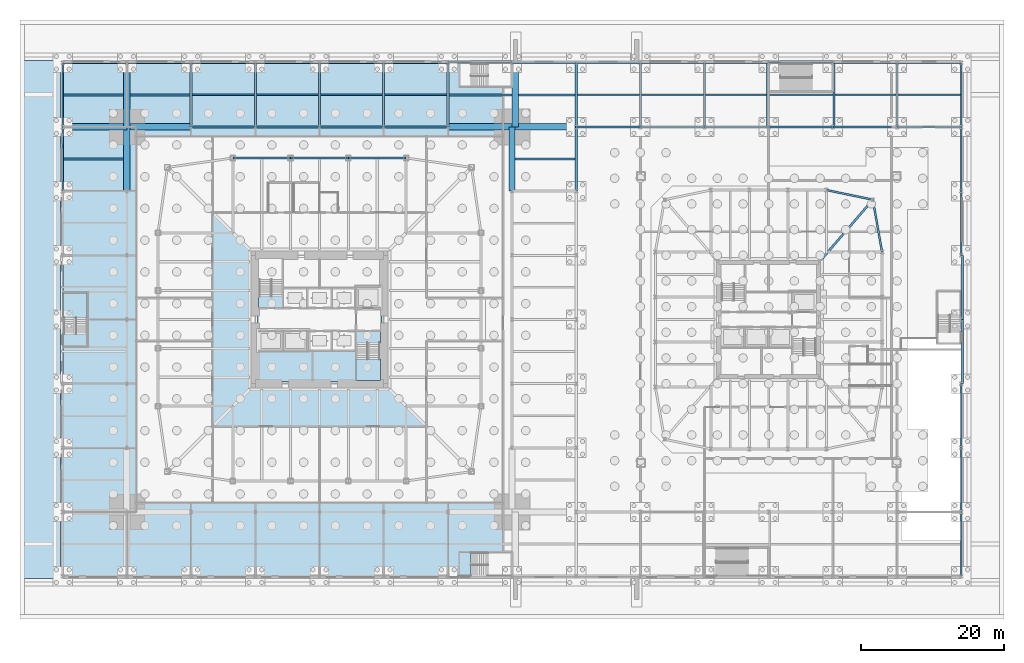
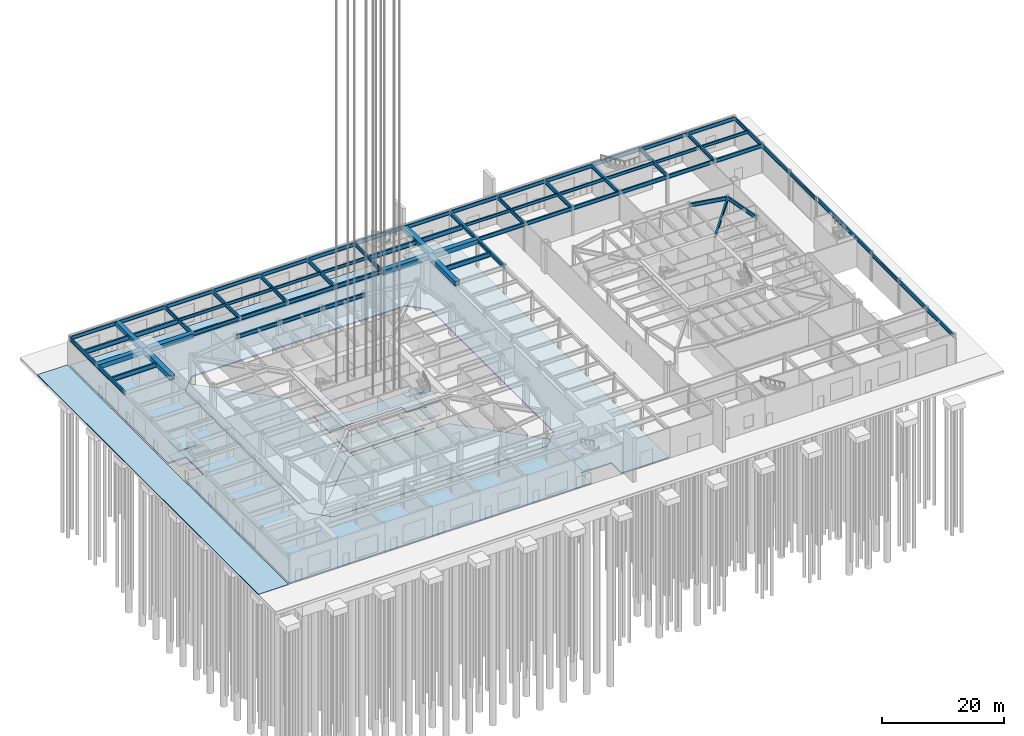
# One storey, part 11 of 37: 76 beams, 14 slabs, 4 elements without a shape of their own.
"""IFC4 building model written with IfcOpenShell, lengths in metres."""

from ifc_helpers import new_model, si_unit, direction, frame, origin, origin_2d, place, context, subcontext, project, spatial, polyline, hollow_rectangle, i_section, outline, extrude, material, layer, layer_set, constituent, constituent_set, material_profile, profile_set, type_object, element, aggregate, save


model = new_model("IFC4")

# Units and contexts
model_context = context("Model", 3, precision=1e-05, world=origin(), true_north=direction((0.0, 1.0)))
body_context = subcontext(model_context, "Body", "Model", "MODEL_VIEW")
ifc_project = project(units=[si_unit("LENGTHUNIT", "METRE"), si_unit("AREAUNIT", "SQUARE_METRE"), si_unit("VOLUMEUNIT", "CUBIC_METRE"), si_unit("PLANEANGLEUNIT", "RADIAN"), si_unit("MASSUNIT", "GRAM", prefix="KILO")], contexts=[model_context])

# Site, building, storey
site_placement = place(None, origin())
site = spatial("IfcSite", under=ifc_project, at=site_placement, CompositionType="ELEMENT")
building_placement = place(site_placement, origin())
building = spatial("IfcBuilding", under=site, at=building_placement, Name="Iwan Alto Co-Living Towers", CompositionType="ELEMENT")
storey_placement = place(building_placement, origin())
storey = spatial("IfcBuildingStorey", under=building, at=storey_placement, Name="L00", CompositionType="ELEMENT", Elevation=0.0)

# Beams
ifc_material_1 = material(Name="Steel ASTM A992 Gr 50", Category="steel")
ifc_material_profile_1 = material_profile(ifc_material_1, i_section(OverallWidth=0.2666015625, OverallDepth=0.76953125, WebThickness=0.015625, FlangeThickness=0.025390625, at=origin_2d()), Name="W30X132")
ifc_profile_set_1 = profile_set([ifc_material_profile_1], Name="Steel ASTM A992 Gr 50")
beam_type_1 = type_object("IfcBeamType", Name="PODIUM BEAM W30X132", PredefinedType="BEAM", material=ifc_profile_set_1)
for number, where, z_axis, x_axis, name in (
    (1, (-36.0, 18.0, 5.365234375), (0.0, 1.0, 0.0), (-1.0, 0.0, 0.0), "Podium beam 1/G-1/H L01"),
    (2, (-36.0, 27.0, 5.365234375), (0.0, 1.0, 0.0), (-1.0, 0.0, 0.0), "Podium beam 1/H-1/I L01"),
    (3, (-36.0, 36.0, 5.365234375), (1.0, 0.0, 0.0), (0.0, 1.0, 0.0), "Podium beam 1/I-2/I L01"),
    (4, (-27.0, 36.0, 5.365234375), (1.0, 0.0, 0.0), (0.0, 1.0, 0.0), "Podium beam 2/I-3/I L01"),
    (5, (-18.0, 27.0, 5.365234375), (1.0, 0.0, 0.0), (0.0, 1.0, 0.0), "Podium beam 3/H-4/H L01"),
    (6, (-18.0, 27.0, 5.365234375), (0.0, 1.0, 0.0), (-1.0, 0.0, 0.0), "Podium beam 3/H-3/I L01"),
    (7, (-18.0, 36.0, 5.365234375), (1.0, 0.0, 0.0), (0.0, 1.0, 0.0), "Podium beam 3/I-4/I L01"),
    (8, (-9.0, 27.0, 5.365234375), (1.0, 0.0, 0.0), (0.0, 1.0, 0.0), "Podium beam 4/H-5/H L01"),
    (9, (-9.0, 27.0, 5.365234375), (0.0, 1.0, 0.0), (-1.0, 0.0, 0.0), "Podium beam 4/H-4/I L01"),
    (10, (-9.0, 36.0, 5.365234375), (1.0, 0.0, 0.0), (0.0, 1.0, 0.0), "Podium beam 4/I-5/I L01"),
    (11, (0.0, 27.0, 5.365234375), (1.0, 0.0, 0.0), (0.0, 1.0, 0.0), "Podium beam 5/H-6/H L01"),
    (12, (0.0, 27.0, 5.365234375), (0.0, 1.0, 0.0), (-1.0, 0.0, 0.0), "Podium beam 5/H-5/I L01"),
    (13, (0.0, 36.0, 5.365234375), (1.0, 0.0, 0.0), (0.0, 1.0, 0.0), "Podium beam 5/I-6/I L01"),
    (14, (9.0, 27.0, 5.365234375), (1.0, 0.0, 0.0), (0.0, 1.0, 0.0), "Podium beam 6/H-7/H L01"),
    (15, (9.0, 27.0, 5.365234375), (0.0, 1.0, 0.0), (-1.0, 0.0, 0.0), "Podium beam 6/H-6/I L01"),
    (16, (9.0, 36.0, 5.365234375), (1.0, 0.0, 0.0), (0.0, 1.0, 0.0), "Podium beam 6/I-7/I L01"),
    (17, (18.0, 27.0, 5.365234375), (0.0, 1.0, 0.0), (-1.0, 0.0, 0.0), "Podium beam 7/H-7/I L01"),
    (18, (18.0, 36.1533203125, 5.365234375), (1.0, 0.0, 0.0), (0.0, 1.0, 0.0), "Podium beam 7/I-8/I L01"),
    (19, (27.0, 36.0, 5.365234375), (1.0, 0.0, 0.0), (0.0, 1.0, 0.0), "Podium beam 8/I-9/I L01"),
    (20, (36.0, 27.0, 5.365234375), (1.0, 0.0, 0.0), (0.0, 1.0, 0.0), "Podium beam 9/H-10/H L01"),
    (21, (36.0, 36.0, 5.365234375), (1.0, 0.0, 0.0), (0.0, 1.0, 0.0), "Podium beam 9/I-10/I L01"),
    (22, (45.0, 27.0, 5.365234375), (1.0, 0.0, 0.0), (0.0, 1.0, 0.0), "Podium beam 10/H-11/H L01"),
    (23, (45.0, 27.0, 5.365234375), (0.0, 1.0, 0.0), (-1.0, 0.0, 0.0), "Podium beam 10/H-10/I L01"),
    (24, (45.0, 36.0, 5.365234375), (1.0, 0.0, 0.0), (0.0, 1.0, 0.0), "Podium beam 10/I-11/I L01"),
    (25, (54.0, 27.0, 5.365234375), (1.0, 0.0, 0.0), (0.0, 1.0, 0.0), "Podium beam 11/H-12/H L01"),
    (26, (54.0, 27.0, 5.365234375), (0.0, 1.0, 0.0), (-1.0, 0.0, 0.0), "Podium beam 11/H-11/I L01"),
    (27, (54.0, 36.0, 5.365234375), (1.0, 0.0, 0.0), (0.0, 1.0, 0.0), "Podium beam 11/I-12/I L01"),
    (28, (63.0, 27.0, 5.365234375), (1.0, 0.0, 0.0), (0.0, 1.0, 0.0), "Podium beam 12/H-13/H L01"),
    (29, (62.8466796875, 27.0, 5.365234375), (0.0, 1.0, 0.0), (-1.0, 0.0, 0.0), "Podium beam 12/H-12/I L01"),
    (30, (63.0, 36.1533203125, 5.365234375), (1.0, 0.0, 0.0), (0.0, 1.0, 0.0), "Podium beam 12/I-13/I L01"),
    (31, (72.0, 27.0, 5.365234375), (1.0, 0.0, 0.0), (0.0, 1.0, 0.0), "Podium beam 13/H-14/H L01"),
    (32, (72.1533203125, 27.0, 5.365234375), (0.0, 1.0, 0.0), (-1.0, 0.0, 0.0), "Podium beam 13/H-13/I L01"),
    (33, (72.0, 36.0, 5.365234375), (1.0, 0.0, 0.0), (0.0, 1.0, 0.0), "Podium beam 13/I-14/I L01"),
    (34, (81.0, 27.0, 5.365234375), (1.0, 0.0, 0.0), (0.0, 1.0, 0.0), "Podium beam 14/H-15/H L01"),
    (35, (81.0, 27.0, 5.365234375), (0.0, 1.0, 0.0), (-1.0, 0.0, 0.0), "Podium beam 14/H-14/I L01"),
    (36, (81.0, 36.0, 5.365234375), (1.0, 0.0, 0.0), (0.0, 1.0, 0.0), "Podium beam 14/I-15/I L01"),
    (37, (90.0, -36.0, 5.365234375), (0.0, 1.0, 0.0), (-1.0, 0.0, 0.0), "Podium beam 15/A-15/B L01"),
    (38, (90.0, -27.0, 5.365234375), (0.0, 1.0, 0.0), (-1.0, 0.0, 0.0), "Podium beam 15/B-15/C L01"),
    (39, (90.0, -18.0, 5.365234375), (0.0, 1.0, 0.0), (-1.0, 0.0, 0.0), "Podium beam 15/C-15/D L01"),
    (40, (90.1533203125, -9.0, 5.365234375), (0.0, 1.0, 0.0), (-1.0, 0.0, 0.0), "Podium beam 15/D-15/E L01"),
    (41, (90.1533203125, 0.0, 5.365234375), (0.0, 1.0, 0.0), (-1.0, 0.0, 0.0), "Podium beam 15/E-15/F L01"),
    (42, (90.0, 9.0, 5.365234375), (0.0, 1.0, 0.0), (-1.0, 0.0, 0.0), "Podium beam 15/F-15/G L01"),
    (43, (90.0, 18.0, 5.365234375), (0.0, 1.0, 0.0), (-1.0, 0.0, 0.0), "Podium beam 15/G-15/H L01"),
    (44, (90.0, 27.0, 5.365234375), (0.0, 1.0, 0.0), (-1.0, 0.0, 0.0), "Podium beam 15/H-15/I L01"),
):
    element("IfcBeam", number, at=place(storey_placement, frame(where, z_axis=z_axis, x_axis=x_axis)), inside=storey, type_object=beam_type_1, Name=name, PredefinedType="BEAM", context=body_context, shape_type="SweptSolid", body=[
        extrude(i_section(OverallWidth=0.2666015625, OverallDepth=0.76953125, WebThickness=0.015625, FlangeThickness=0.025390625, at=origin_2d()), origin(), (0.0, 0.0, 1.0), 9.0),
    ])
ifc_material_2 = material(Name="Steel ASTM A992 Gr 50", Category="steel")
ifc_material_profile_2 = material_profile(ifc_material_2, i_section(OverallWidth=0.381103515625, OverallDepth=0.772216796875, WebThickness=0.0166015625, FlangeThickness=0.027099609375, at=origin_2d()), Name="W30X173")
ifc_profile_set_2 = profile_set([ifc_material_profile_2], Name="Steel ASTM A992 Gr 50")
beam_type_2 = type_object("IfcBeamType", Name="PODIUM JOINT BEAM W30X173", PredefinedType="BEAM", material=ifc_profile_set_2)
for number, where, z_axis, x_axis, name in (
    (45, (36.0, 18.0, 5.364013671875), (0.0, 1.0, 0.0), (-1.0, 0.0, 0.0), "Podium beam 9/G-9/H L01"),
    (46, (36.0, 27.0, 5.364013671875), (0.0, 1.0, 0.0), (-1.0, 0.0, 0.0), "Podium beam 9/H-9/I L01"),
):
    element("IfcBeam", number, at=place(storey_placement, frame(where, z_axis=z_axis, x_axis=x_axis)), inside=storey, type_object=beam_type_2, Name=name, PredefinedType="BEAM", context=body_context, shape_type="SweptSolid", body=[
        extrude(i_section(OverallWidth=0.381103515625, OverallDepth=0.772216796875, WebThickness=0.0166015625, FlangeThickness=0.027099609375, at=origin_2d()), origin(), (0.0, 0.0, 1.0), 9.0),
    ])
ifc_material_3 = material(Name="Steel ASTM A992 Gr 50", Category="steel")
ifc_material_profile_3 = material_profile(ifc_material_3, i_section(OverallWidth=0.307373046875, OverallDepth=0.927001953125, WebThickness=0.01953125, FlangeThickness=0.031982421875, at=origin_2d()), Name="W36X194")
ifc_profile_set_3 = profile_set([ifc_material_profile_3], Name="Steel ASTM A992 Gr 50")
beam_type_3 = type_object("IfcBeamType", Name="PODIUM PIER BAY SECONDARY BEAM W36X194", PredefinedType="JOIST", material=ifc_profile_set_3)
for number, where, z_axis, x_axis, name in (
    (47, (-35.86669921875, 22.5, 5.286376953125), (1.0, 0.0, 0.0), (0.0, 1.0, 0.0), "Podium secondary beam 1/G L01"),
    (48, (-35.86669921875, 31.5, 5.286376953125), (1.0, 0.0, 0.0), (0.0, 1.0, 0.0), "Podium secondary beam 1/H L01"),
    (49, (-26.550048828125, 31.5, 5.286376953125), (1.0, 0.0, 0.0), (0.0, 1.0, 0.0), "Podium secondary beam 2/H L01"),
):
    element("IfcBeam", number, at=place(storey_placement, frame(where, z_axis=z_axis, x_axis=x_axis)), inside=storey, type_object=beam_type_3, Name=name, PredefinedType="JOIST", context=body_context, shape_type="SweptSolid", body=[
        extrude(i_section(OverallWidth=0.307373046875, OverallDepth=0.927001953125, WebThickness=0.01953125, FlangeThickness=0.031982421875, at=origin_2d()), origin(), (0.0, 0.0, 1.0), 8.416748046875),
    ])
beam_1_placement = place(storey_placement, frame((18.13330078125, 31.5, 5.286376953125), z_axis=(1.0, 0.0, 0.0), x_axis=(0.0, 1.0, 0.0)))
element("IfcBeam", 50, at=beam_1_placement, inside=storey, type_object=beam_type_3, Name="Podium secondary beam 7/H L01", PredefinedType="JOIST", context=body_context, shape_type="SweptSolid", body=[
    extrude(i_section(OverallWidth=0.307373046875, OverallDepth=0.927001953125, WebThickness=0.01953125, FlangeThickness=0.031982421875, at=origin_2d()), origin(), (0.0, 0.0, 1.0), 8.88671875),
])
beam_2_placement = place(storey_placement, frame((27.449951171875, 22.5, 5.286376953125), z_axis=(1.0, 0.0, 0.0), x_axis=(0.0, 1.0, 0.0)))
element("IfcBeam", 51, at=beam_2_placement, inside=storey, type_object=beam_type_3, Name="Podium secondary beam 8/G L01", PredefinedType="JOIST", context=body_context, shape_type="SweptSolid", body=[
    extrude(i_section(OverallWidth=0.307373046875, OverallDepth=0.927001953125, WebThickness=0.01953125, FlangeThickness=0.031982421875, at=origin_2d()), origin(), (0.0, 0.0, 1.0), 8.359619140625),
])
beam_3_placement = place(storey_placement, frame((27.919921875, 31.5, 5.286376953125), z_axis=(1.0, 0.0, 0.0), x_axis=(0.0, 1.0, 0.0)))
element("IfcBeam", 52, at=beam_3_placement, inside=storey, type_object=beam_type_3, Name="Podium secondary beam 8/H L01", PredefinedType="JOIST", context=body_context, shape_type="SweptSolid", body=[
    extrude(i_section(OverallWidth=0.307373046875, OverallDepth=0.927001953125, WebThickness=0.01953125, FlangeThickness=0.031982421875, at=origin_2d()), origin(), (0.0, 0.0, 1.0), 7.8896484375),
])
ifc_material_4 = material(Name="Steel ASTM A572 Gr 50", Category="steel")
ifc_material_profile_4 = material_profile(ifc_material_4, hollow_rectangle(XDim=0.89990234375, YDim=0.89990234375, WallThickness=0.06005859375, at=origin_2d()), Name="BOX 900X900X60")
ifc_profile_set_4 = profile_set([ifc_material_profile_4], Name="Steel ASTM A572 Gr 50")
beam_type_4 = type_object("IfcBeamType", Name="PODIUM PIER BEAM BOX 900X900X60", PredefinedType="BEAM", material=ifc_profile_set_4)
for number, where, z_axis, x_axis, name in (
    (53, (-36.0, 27.0, 5.300048828125), (1.0, 0.0, 0.0), (0.0, 1.0, 0.0), "Podium beam 1/H-2/H L01"),
    (54, (-27.0, 18.0, 5.300048828125), (0.0, 1.0, 0.0), (-1.0, 0.0, 0.0), "Podium beam 2/G-2/H L01"),
    (55, (-27.0, 27.0, 5.300048828125), (1.0, 0.0, 0.0), (0.0, 1.0, 0.0), "Podium beam 2/H-3/H L01"),
    (56, (-27.0, 27.0, 5.300048828125), (0.0, 1.0, 0.0), (-1.0, 0.0, 0.0), "Podium beam 2/H-2/I L01"),
    (57, (18.0, 27.0, 5.300048828125), (1.0, 0.0, 0.0), (0.0, 1.0, 0.0), "Podium beam 7/H-8/H L01"),
    (58, (27.0, 18.0, 5.300048828125), (0.0, 1.0, 0.0), (-1.0, 0.0, 0.0), "Podium beam 8/G-8/H L01"),
    (59, (27.0, 27.0, 5.300048828125), (1.0, 0.0, 0.0), (0.0, 1.0, 0.0), "Podium beam 8/H-9/H L01"),
    (60, (27.469970703125, 27.0, 5.300048828125), (0.0, 1.0, 0.0), (-1.0, 0.0, 0.0), "Podium beam 8/H-8/I L01"),
):
    element("IfcBeam", number, at=place(storey_placement, frame(where, z_axis=z_axis, x_axis=x_axis)), inside=storey, type_object=beam_type_4, Name=name, PredefinedType="BEAM", context=body_context, shape_type="SweptSolid", body=[
        extrude(hollow_rectangle(XDim=0.89990234375, YDim=0.89990234375, WallThickness=0.06005859375, at=origin_2d()), origin(), (0.0, 0.0, 1.0), 9.0),
    ])
ifc_material_5 = material(Name="Steel ASTM A992 Gr 50", Category="steel")
ifc_material_profile_5 = material_profile(ifc_material_5, i_section(OverallWidth=0.23046875, OverallDepth=0.6171875, WebThickness=0.01318359375, FlangeThickness=0.022216796875, at=origin_2d()), Name="W24X94")
ifc_profile_set_5 = profile_set([ifc_material_profile_5], Name="Steel ASTM A992 Gr 50")
beam_type_5 = type_object("IfcBeamType", Name="PODIUM SECONDARY BEAM W24X94", PredefinedType="JOIST", material=ifc_profile_set_5)
for number, where, z_axis, x_axis, name in (
    (61, (-17.86669921875, 31.5, 5.44140625), (1.0, 0.0, 0.0), (0.0, 1.0, 0.0), "Podium secondary beam 3/H L01"),
    (62, (-8.86669921875, 31.5, 5.44140625), (1.0, 0.0, 0.0), (0.0, 1.0, 0.0), "Podium secondary beam 4/H L01"),
    (63, (0.13330078125, 31.5, 5.44140625), (1.0, 0.0, 0.0), (0.0, 1.0, 0.0), "Podium secondary beam 5/H L01"),
    (64, (9.13330078125, 31.5, 5.44140625), (1.0, 0.0, 0.0), (0.0, 1.0, 0.0), "Podium secondary beam 6/H L01"),
):
    element("IfcBeam", number, at=place(storey_placement, frame(where, z_axis=z_axis, x_axis=x_axis)), inside=storey, type_object=beam_type_5, Name=name, PredefinedType="JOIST", context=body_context, shape_type="SweptSolid", body=[
        extrude(i_section(OverallWidth=0.23046875, OverallDepth=0.6171875, WebThickness=0.01318359375, FlangeThickness=0.022216796875, at=origin_2d()), origin(), (0.0, 0.0, 1.0), 8.7333984375),
    ])
beam_4_placement = place(storey_placement, frame((36.1904296875, 31.5, 5.44140625), z_axis=(1.0, 0.0, 0.0), x_axis=(0.0, 1.0, 0.0)))
element("IfcBeam", 65, at=beam_4_placement, inside=storey, type_object=beam_type_5, Name="Podium secondary beam 9/H L01", PredefinedType="JOIST", context=body_context, shape_type="SweptSolid", body=[
    extrude(i_section(OverallWidth=0.23046875, OverallDepth=0.6171875, WebThickness=0.01318359375, FlangeThickness=0.022216796875, at=origin_2d()), origin(), (0.0, 0.0, 1.0), 8.67626953125),
])
beam_5_placement = place(storey_placement, frame((45.13330078125, 31.5, 5.44140625), z_axis=(1.0, 0.0, 0.0), x_axis=(0.0, 1.0, 0.0)))
element("IfcBeam", 66, at=beam_5_placement, inside=storey, type_object=beam_type_5, Name="Podium secondary beam 10/H L01", PredefinedType="JOIST", context=body_context, shape_type="SweptSolid", body=[
    extrude(i_section(OverallWidth=0.23046875, OverallDepth=0.6171875, WebThickness=0.01318359375, FlangeThickness=0.022216796875, at=origin_2d()), origin(), (0.0, 0.0, 1.0), 8.7333984375),
])
beam_6_placement = place(storey_placement, frame((54.13330078125, 31.5, 5.44140625), z_axis=(1.0, 0.0, 0.0), x_axis=(0.0, 1.0, 0.0)))
element("IfcBeam", 67, at=beam_6_placement, inside=storey, type_object=beam_type_5, Name="Podium secondary beam 11/H L01", PredefinedType="JOIST", context=body_context, shape_type="SweptSolid", body=[
    extrude(i_section(OverallWidth=0.23046875, OverallDepth=0.6171875, WebThickness=0.01318359375, FlangeThickness=0.022216796875, at=origin_2d()), origin(), (0.0, 0.0, 1.0), 8.580078125),
])
beam_7_placement = place(storey_placement, frame((62.97998046875, 31.5, 5.44140625), z_axis=(1.0, 0.0, 0.0), x_axis=(0.0, 1.0, 0.0)))
element("IfcBeam", 68, at=beam_7_placement, inside=storey, type_object=beam_type_5, Name="Podium secondary beam 12/H L01", PredefinedType="JOIST", context=body_context, shape_type="SweptSolid", body=[
    extrude(i_section(OverallWidth=0.23046875, OverallDepth=0.6171875, WebThickness=0.01318359375, FlangeThickness=0.022216796875, at=origin_2d()), origin(), (0.0, 0.0, 1.0), 9.0400390625),
])
beam_8_placement = place(storey_placement, frame((72.28662109375, 31.5, 5.44140625), z_axis=(1.0, 0.0, 0.0), x_axis=(0.0, 1.0, 0.0)))
element("IfcBeam", 69, at=beam_8_placement, inside=storey, type_object=beam_type_5, Name="Podium secondary beam 13/H L01", PredefinedType="JOIST", context=body_context, shape_type="SweptSolid", body=[
    extrude(i_section(OverallWidth=0.23046875, OverallDepth=0.6171875, WebThickness=0.01318359375, FlangeThickness=0.022216796875, at=origin_2d()), origin(), (0.0, 0.0, 1.0), 8.580078125),
])
beam_9_placement = place(storey_placement, frame((81.13330078125, 31.5, 5.44140625), z_axis=(1.0, 0.0, 0.0), x_axis=(0.0, 1.0, 0.0)))
element("IfcBeam", 70, at=beam_9_placement, inside=storey, type_object=beam_type_5, Name="Podium secondary beam 14/H L01", PredefinedType="JOIST", context=body_context, shape_type="SweptSolid", body=[
    extrude(i_section(OverallWidth=0.23046875, OverallDepth=0.6171875, WebThickness=0.01318359375, FlangeThickness=0.022216796875, at=origin_2d()), origin(), (0.0, 0.0, 1.0), 8.7333984375),
])
ifc_material_6 = material(Name="Steel ASTM A992 Gr 50", Category="steel")
ifc_material_profile_6 = material_profile(ifc_material_6, i_section(OverallWidth=0.2666015625, OverallDepth=0.761962890625, WebThickness=0.014404296875, FlangeThickness=0.021484375, at=origin_2d()), Name="W30X116")
ifc_profile_set_6 = profile_set([ifc_material_profile_6], Name="Steel ASTM A992 Gr 50")
beam_type_6 = type_object("IfcBeamType", Name="T1 EDGE BEAM W30X116", PredefinedType="BEAM", material=ifc_profile_set_6)
beam_10_placement = place(storey_placement, frame((12.14990234375, 22.64990234375, 5.368896484375), z_axis=(-1.0, 0.0, 0.0), x_axis=(0.0, -1.0, 0.0)))
element("IfcBeam", 71, at=beam_10_placement, inside=storey, type_object=beam_type_6, Name="T1 edge beam N1 L01", PredefinedType="BEAM", context=body_context, shape_type="SweptSolid", body=[
    extrude(i_section(OverallWidth=0.2666015625, OverallDepth=0.761962890625, WebThickness=0.014404296875, FlangeThickness=0.021484375, at=origin_2d()), origin(), (0.0, 0.0, 1.0), 8.099853515625),
])
beam_11_placement = place(storey_placement, frame((4.050048828125, 22.64990234375, 5.368896484375), z_axis=(-1.0, 0.0, 0.0), x_axis=(0.0, -1.0, 0.0)))
element("IfcBeam", 72, at=beam_11_placement, inside=storey, type_object=beam_type_6, Name="T1 edge beam N2 L01", PredefinedType="BEAM", context=body_context, shape_type="SweptSolid", body=[
    extrude(i_section(OverallWidth=0.2666015625, OverallDepth=0.761962890625, WebThickness=0.014404296875, FlangeThickness=0.021484375, at=origin_2d()), origin(), (0.0, 0.0, 1.0), 8.10009765625),
])
beam_12_placement = place(storey_placement, frame((-4.050048828125, 22.64990234375, 5.368896484375), z_axis=(-1.0, 0.0, 0.0), x_axis=(0.0, -1.0, 0.0)))
element("IfcBeam", 73, at=beam_12_placement, inside=storey, type_object=beam_type_6, Name="T1 edge beam N3 L01", PredefinedType="BEAM", context=body_context, shape_type="SweptSolid", body=[
    extrude(i_section(OverallWidth=0.2666015625, OverallDepth=0.761962890625, WebThickness=0.014404296875, FlangeThickness=0.021484375, at=origin_2d()), origin(), (0.0, 0.0, 1.0), 8.099853515625),
])
ifc_material_7 = material(Name="Steel ASTM A992 Gr 50", Category="steel")
ifc_material_profile_7 = material_profile(ifc_material_7, i_section(OverallWidth=0.2919921875, OverallDepth=0.8408203125, WebThickness=0.0146484375, FlangeThickness=0.021728515625, at=origin_2d()), Name="W33X130")
ifc_profile_set_7 = profile_set([ifc_material_profile_7], Name="Steel ASTM A992 Gr 50")
beam_type_7 = type_object("IfcBeamType", Name="T2 CORNER GIRDER W33X130", PredefinedType="BEAM", material=ifc_profile_set_7)
beam_13_placement = place(storey_placement, frame((77.606201171875, 16.797119140625, 5.32958984375), z_axis=(-0.651972301827, -0.758242782788, 0.0), x_axis=(0.758242782788, -0.651972301827, 0.0)))
element("IfcBeam", 74, at=beam_13_placement, inside=storey, type_object=beam_type_7, Name="T2 corner girder CNE L01", PredefinedType="BEAM", context=body_context, shape_type="SweptSolid", body=[
    extrude(i_section(OverallWidth=0.2919921875, OverallDepth=0.8408203125, WebThickness=0.0146484375, FlangeThickness=0.021728515625, at=origin_2d()), origin(), (0.0, 0.0, 1.0), 10.93994140625),
])
ifc_material_8 = material(Name="Steel ASTM A992 Gr 50", Category="steel")
ifc_material_profile_8 = material_profile(ifc_material_8, i_section(OverallWidth=0.2666015625, OverallDepth=0.761962890625, WebThickness=0.014404296875, FlangeThickness=0.021484375, at=origin_2d()), Name="W30X116")
ifc_profile_set_8 = profile_set([ifc_material_profile_8], Name="Steel ASTM A992 Gr 50")
beam_type_8 = type_object("IfcBeamType", Name="T2 EDGE BEAM W30X116", PredefinedType="BEAM", material=ifc_profile_set_8)
beam_14_placement = place(storey_placement, frame((78.89990234375, 9.449951171875, 5.368896484375), z_axis=(-0.173413807283, 0.98484905008, 0.0), x_axis=(-0.98484905008, -0.173413807283, 0.0)))
element("IfcBeam", 75, at=beam_14_placement, inside=storey, type_object=beam_type_8, Name="T2 edge beam E4 L01", PredefinedType="BEAM", context=body_context, shape_type="SweptSolid", body=[
    extrude(i_section(OverallWidth=0.2666015625, OverallDepth=0.761962890625, WebThickness=0.014404296875, FlangeThickness=0.021484375, at=origin_2d()), origin(), (0.0, 0.0, 1.0), 7.460205078125),
])
beam_15_placement = place(storey_placement, frame((77.606201171875, 16.797119140625, 5.368896484375), z_axis=(-0.979060119423, 0.203571320564, 0.0), x_axis=(-0.203571320564, -0.979060119423, 0.0)))
element("IfcBeam", 76, at=beam_15_placement, inside=storey, type_object=beam_type_8, Name="T2 edge beam CNE L01", PredefinedType="BEAM", context=body_context, shape_type="SweptSolid", body=[
    extrude(i_section(OverallWidth=0.2666015625, OverallDepth=0.761962890625, WebThickness=0.014404296875, FlangeThickness=0.021484375, at=origin_2d()), origin(), (0.0, 0.0, 1.0), 6.645263671875),
])

# Slabs
ifc_material_9 = material(Name="Concrete f'c 30 MPa", Category="concrete")
ifc_layer_1 = layer(ifc_material_9, 0.199951171875)
ifc_layer_set_1 = layer_set([ifc_layer_1], Name="CORE FLOOR SLAB 200")
slab_type_1 = type_object("IfcSlabType", Name="CORE FLOOR SLAB 200", PredefinedType="FLOOR", material=ifc_layer_set_1)
slab_1_placement = place(storey_placement, frame((0.0, 0.0, -0.199951171875)))
element("IfcSlab", 77, at=slab_1_placement, inside=storey, type_object=slab_type_1, Name="T1 core floor L00", PredefinedType="FLOOR", context=body_context, shape_type="SweptSolid", body=[
    extrude(outline(polyline([(8.699951171875, -3.580078125), (8.39990234375, -3.580078125), (8.39990234375, -3.27001953125), (5.14990234375, -3.27001953125), (5.14990234375, -1.60009765625), (1.72509765625, -1.60009765625), (-1.699951171875, -1.60009765625), (-5.125, -1.60009765625), (-8.39990234375, -1.60009765625), (-8.39990234375, -1.909912109375), (-8.699951171875, -1.909912109375), (-8.699951171875, 3.580078125), (-8.39990234375, 3.580078125), (-8.39990234375, 3.27001953125), (-5.14990234375, 3.27001953125), (-5.14990234375, 1.60009765625), (-1.717041015625, 1.60009765625), (1.717041015625, 1.60009765625), (5.14990234375, 1.60009765625), (8.39990234375, 1.60009765625), (8.39990234375, 1.909912109375), (8.699951171875, 1.909912109375), (8.699951171875, -3.580078125)])), origin(), (0.0, 0.0, 1.0), 0.199951171875),
])
slab_2_placement = place(storey_placement, frame((0.0, 0.0, -0.199951171875)))
element("IfcSlab", 78, at=slab_2_placement, inside=storey, type_object=slab_type_1, Name="T1 core floor L00", PredefinedType="FLOOR", context=body_context, shape_type="SweptSolid", body=[
    extrude(outline(polyline([(-1.699951171875, -4.39990234375), (1.72509765625, -4.39990234375), (5.14990234375, -4.39990234375), (5.14990234375, -8.39990234375), (5.4599609375, -8.39990234375), (5.4599609375, -8.699951171875), (-8.699951171875, -8.699951171875), (-8.699951171875, -4.090087890625), (-8.39990234375, -4.090087890625), (-8.39990234375, -4.39990234375), (-5.125, -4.39990234375), (-1.699951171875, -4.39990234375)])), origin(), (0.0, 0.0, 1.0), 0.199951171875),
])
ifc_material_10 = material(Name="Basalt stone paving", Category="masonry")
ifc_layer_2 = layer(ifc_material_10, 0.050048828125, Name="Paving", Category="Finish")
ifc_material_11 = material(Name="Concrete f'c 25 MPa", Category="concrete")
ifc_layer_3 = layer(ifc_material_11, 0.10009765625, Name="Concrete base", Category="LoadBearing")
ifc_layer_set_2 = layer_set([ifc_layer_2, ifc_layer_3], Name="PAVING 150")
slab_type_2 = type_object("IfcSlabType", Name="PAVING 150", PredefinedType="USERDEFINED", material=ifc_layer_set_2)
slab_3_placement = place(storey_placement, frame((0.0, 0.0, -0.14990234375)))
element("IfcSlab", 79, at=slab_3_placement, inside=storey, type_object=slab_type_2, Name="Street paving W", ObjectType="PAVING", PredefinedType="USERDEFINED", context=body_context, shape_type="SweptSolid", body=[
    extrude(outline(polyline([(-42.0, -36.300048828125), (-36.300048828125, -36.300048828125), (-36.300048828125, 36.300048828125), (-42.0, 36.300048828125), (-42.0, -36.300048828125)])), origin(), (0.0, 0.0, 1.0), 0.14990234375),
])
ifc_material_12 = material(Name="Concrete f'c 30 MPa", Category="concrete")
ifc_layer_4 = layer(ifc_material_12, 0.25)
ifc_layer_set_3 = layer_set([ifc_layer_4], Name="PODIUM FLOOR SLAB 250")
slab_type_3 = type_object("IfcSlabType", Name="PODIUM FLOOR SLAB 250", PredefinedType="FLOOR", material=ifc_layer_set_3)
slab_4_placement = place(storey_placement, frame((0.0, 0.0, -0.25)))
element("IfcSlab", 80, at=slab_4_placement, inside=storey, type_object=slab_type_3, Name="Podium floor slab L00 T1 S pour", PredefinedType="FLOOR", context=body_context, shape_type="SweptSolid", body=[
    extrude(outline(polyline([(20.25, -23.25), (-20.25, -23.25), (-21.75, -21.75), (-9.60009765625, -9.60009765625), (9.60009765625, -9.60009765625), (21.75, -21.75), (20.25, -23.25)])), origin(), (0.0, 0.0, 1.0), 0.25),
])
slab_5_placement = place(storey_placement, frame((0.0, 0.0, -0.25)))
element("IfcSlab", 81, at=slab_5_placement, inside=storey, type_object=slab_type_3, Name="Podium floor slab L00 T1 W pour", PredefinedType="FLOOR", context=body_context, shape_type="SweptSolid", body=[
    extrude(outline(polyline([(-23.25, 20.25), (-21.75, 21.75), (-9.60009765625, 9.60009765625), (-9.60009765625, -9.60009765625), (-21.75, -21.75), (-23.25, -20.25), (-23.25, 20.25)])), origin(), (0.0, 0.0, 1.0), 0.25),
])
slab_6_placement = place(storey_placement, frame((0.0, 0.0, -0.25)))
element("IfcSlab", 82, at=slab_6_placement, inside=storey, type_object=slab_type_3, Name="Podium floor slab L00 T1 side pour", PredefinedType="FLOOR", context=body_context, shape_type="SweptSolid", body=[
    extrude(outline(polyline([(-36.0, 3.699951171875), (-36.0, 36.0), (21.27001953125, 36.0), (21.27001953125, 32.60009765625), (27.0, 32.60009765625), (27.0, 36.0), (36.0, 36.0), (36.0, -36.0), (27.0, -36.0), (27.0, -32.60009765625), (21.27001953125, -32.60009765625), (21.27001953125, -36.0), (-36.0, -36.0), (-36.0, -2.030029296875), (-32.60009765625, -2.030029296875), (-32.60009765625, 3.699951171875), (-36.0, 3.699951171875)]), holes=[polyline([(20.25, -23.25), (23.25, -20.25), (23.25, 20.25), (20.25, 23.25), (-20.25, 23.25), (-23.25, 20.25), (-23.25, -20.25), (-20.25, -23.25), (20.25, -23.25)])]), origin(), (0.0, 0.0, 1.0), 0.25),
])

# Stair, slabs
ifc_material_13 = material(Name="Steel ASTM A36", Category="steel")
ifc_constituent_1 = constituent(ifc_material_13, Name="Stringers", Category="LoadBearing")
ifc_material_14 = material(Name="Concrete f'c 30 MPa", Category="concrete")
ifc_constituent_2 = constituent(ifc_material_14, Name="Tread fill", Category="Finish")
ifc_constituent_set_1 = constituent_set(constituents=[ifc_constituent_1, ifc_constituent_2], Name="STAIR 6000 FOUR-FLIGHT PODIUM")
stair_type_1 = type_object("IfcStairType", Name="STAIR 6000 FOUR-FLIGHT PODIUM", PredefinedType="HALF_TURN_STAIR", material=ifc_constituent_set_1)
stair_1_placement = place(storey_placement, origin())
stair_1 = element("IfcStair", 83, at=stair_1_placement, inside=storey, type_object=stair_type_1, Name="Stair PS1 L00 to L01", PredefinedType="HALF_TURN_STAIR")
ifc_material_15 = material(Name="Concrete f'c 30 MPa", Category="concrete")
ifc_layer_5 = layer(ifc_material_15, 0.199951171875)
ifc_layer_set_4 = layer_set([ifc_layer_5], Name="STAIR LANDING 200")
slab_type_4 = type_object("IfcSlabType", Name="STAIR LANDING 200", PredefinedType="LANDING", material=ifc_layer_set_4)
slab_7_placement = place(storey_placement, frame((0.0, 0.0, 1.300048828125)))
slab_7 = element("IfcSlab", 84, at=slab_7_placement, type_object=slab_type_4, Name="PS1 landing 1", PredefinedType="LANDING", context=body_context, shape_type="SweptSolid", body=[
    extrude(outline(polyline([(-36.0, 0.27001953125), (-36.0, 3.699951171875), (-32.60009765625, 3.699951171875), (-32.60009765625, 0.27001953125), (-36.0, 0.27001953125)])), origin(), (0.0, 0.0, 1.0), 0.199951171875),
])
slab_8_placement = place(storey_placement, frame((0.0, 0.0, 2.800048828125)))
slab_8 = element("IfcSlab", 85, at=slab_8_placement, type_object=slab_type_4, Name="PS1 landing 2", PredefinedType="LANDING", context=body_context, shape_type="SweptSolid", body=[
    extrude(outline(polyline([(-36.0, -3.699951171875), (-36.0, -2.030029296875), (-32.60009765625, -2.030029296875), (-32.60009765625, -3.699951171875), (-36.0, -3.699951171875)])), origin(), (0.0, 0.0, 1.0), 0.199951171875),
])
slab_9_placement = place(storey_placement, frame((0.0, 0.0, 4.300048828125)))
slab_9 = element("IfcSlab", 86, at=slab_9_placement, type_object=slab_type_4, Name="PS1 landing 3", PredefinedType="LANDING", context=body_context, shape_type="SweptSolid", body=[
    extrude(outline(polyline([(-36.0, 0.27001953125), (-36.0, 3.699951171875), (-32.60009765625, 3.699951171875), (-32.60009765625, 0.27001953125), (-36.0, 0.27001953125)])), origin(), (0.0, 0.0, 1.0), 0.199951171875),
])
aggregate(stair_1, [slab_7, slab_8, slab_9])

# Stair, slab
stair_2_placement = place(storey_placement, origin())
stair_2 = element("IfcStair", 87, at=stair_2_placement, inside=storey, type_object=stair_type_1, Name="Stair PS4 L00 to L01", PredefinedType="HALF_TURN_STAIR")
slab_10_placement = place(storey_placement, frame((0.0, 0.0, 2.800048828125)))
slab_10 = element("IfcSlab", 88, at=slab_10_placement, type_object=slab_type_4, Name="PS4 landing 2", PredefinedType="LANDING", context=body_context, shape_type="SweptSolid", body=[
    extrude(outline(polyline([(19.60009765625, -36.0), (21.27001953125, -36.0), (21.27001953125, -32.60009765625), (19.60009765625, -32.60009765625), (19.60009765625, -36.0)])), origin(), (0.0, 0.0, 1.0), 0.199951171875),
])
aggregate(stair_2, [slab_10])

ifc_constituent_3 = constituent(ifc_material_13, Name="Stringers", Category="LoadBearing")
ifc_constituent_4 = constituent(ifc_material_14, Name="Tread fill", Category="Finish")
ifc_constituent_set_2 = constituent_set(constituents=[ifc_constituent_3, ifc_constituent_4], Name="STAIR 6000 FOUR-FLIGHT T1 CORE")
stair_type_2 = type_object("IfcStairType", Name="STAIR 6000 FOUR-FLIGHT T1 CORE", PredefinedType="HALF_TURN_STAIR", material=ifc_constituent_set_2)
stair_3_placement = place(storey_placement, origin())
stair_3 = element("IfcStair", 89, at=stair_3_placement, inside=storey, type_object=stair_type_2, Name="Stair T1-S1 L00 to L01", PredefinedType="HALF_TURN_STAIR")
slab_11_placement = place(storey_placement, frame((0.0, 0.0, 2.800048828125)))
slab_11 = element("IfcSlab", 90, at=slab_11_placement, type_object=slab_type_4, Name="T1-S1 landing 2", PredefinedType="LANDING", context=body_context, shape_type="SweptSolid", body=[
    extrude(outline(polyline([(-8.550048828125, 1.60009765625), (-8.550048828125, 3.27001953125), (-5.14990234375, 3.27001953125), (-5.14990234375, 1.60009765625), (-8.550048828125, 1.60009765625)])), origin(), (0.0, 0.0, 1.0), 0.199951171875),
])
aggregate(stair_3, [slab_11])

# Stair, slabs
stair_4_placement = place(storey_placement, origin())
stair_4 = element("IfcStair", 91, at=stair_4_placement, inside=storey, type_object=stair_type_2, Name="Stair T1-S2 L00 to L01", PredefinedType="HALF_TURN_STAIR")
slab_12_placement = place(storey_placement, frame((0.0, 0.0, 1.300048828125)))
slab_12 = element("IfcSlab", 92, at=slab_12_placement, type_object=slab_type_4, Name="T1-S2 landing 1", PredefinedType="LANDING", context=body_context, shape_type="SweptSolid", body=[
    extrude(outline(polyline([(5.14990234375, -5.570068359375), (5.14990234375, -8.550048828125), (8.550048828125, -8.550048828125), (8.550048828125, -5.570068359375), (5.14990234375, -5.570068359375)])), origin(), (0.0, 0.0, 1.0), 0.199951171875),
])
slab_13_placement = place(storey_placement, frame((0.0, 0.0, 2.800048828125)))
slab_13 = element("IfcSlab", 93, at=slab_13_placement, type_object=slab_type_4, Name="T1-S2 landing 2", PredefinedType="LANDING", context=body_context, shape_type="SweptSolid", body=[
    extrude(outline(polyline([(5.14990234375, -1.60009765625), (5.14990234375, -3.27001953125), (8.550048828125, -3.27001953125), (8.550048828125, -1.60009765625), (5.14990234375, -1.60009765625)])), origin(), (0.0, 0.0, 1.0), 0.199951171875),
])
slab_14_placement = place(storey_placement, frame((0.0, 0.0, 4.300048828125)))
slab_14 = element("IfcSlab", 94, at=slab_14_placement, type_object=slab_type_4, Name="T1-S2 landing 3", PredefinedType="LANDING", context=body_context, shape_type="SweptSolid", body=[
    extrude(outline(polyline([(5.14990234375, -5.570068359375), (5.14990234375, -8.550048828125), (8.550048828125, -8.550048828125), (8.550048828125, -5.570068359375), (5.14990234375, -5.570068359375)])), origin(), (0.0, 0.0, 1.0), 0.199951171875),
])
aggregate(stair_4, [slab_12, slab_13, slab_14])

save(model, "model.ifc")
